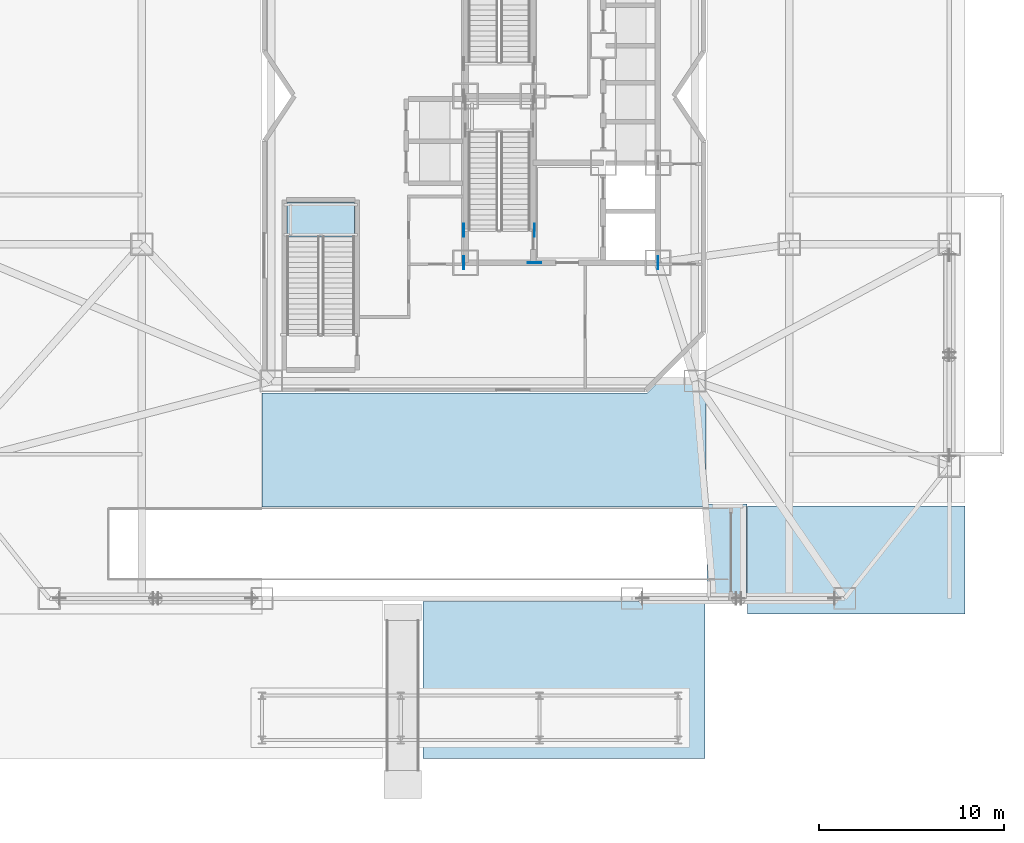
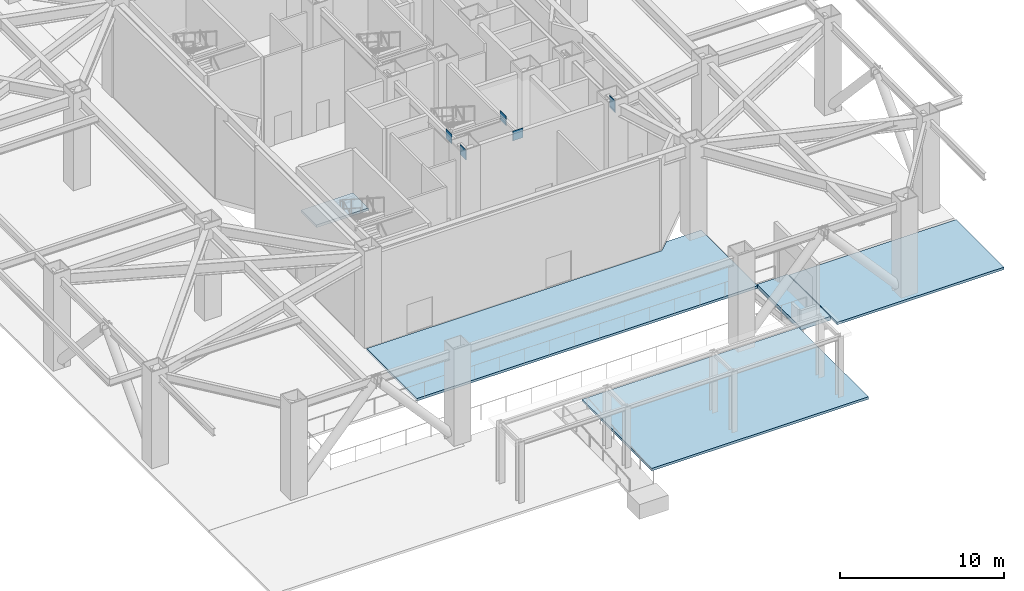
# One storey, part 4 of 14: 6 plates, 5 slabs, 1 element without a shape of its own.
"""IFC4 building model written with IfcOpenShell, lengths in metres."""

from ifc_helpers import new_model, si_unit, direction, frame, origin, origin_2d, place, context, subcontext, project, spatial, polyline, rectangle, outline, extrude, material, layer, layer_set, type_object, element, aggregate, save


model = new_model("IFC4")

# Units and contexts
model_context = context("Model", 3, precision=1e-05, world=origin(), true_north=direction((0.0, 1.0)))
body_context = subcontext(model_context, "Body", "Model", "MODEL_VIEW")
ifc_project = project(units=[si_unit("LENGTHUNIT", "METRE"), si_unit("AREAUNIT", "SQUARE_METRE"), si_unit("VOLUMEUNIT", "CUBIC_METRE"), si_unit("PLANEANGLEUNIT", "RADIAN"), si_unit("MASSUNIT", "GRAM", prefix="KILO")], contexts=[model_context])

# Site, building, storey
site_placement = place(None, origin())
site = spatial("IfcSite", under=ifc_project, at=site_placement, CompositionType="ELEMENT")
building_placement = place(site_placement, origin())
building = spatial("IfcBuilding", under=site, at=building_placement, Name="Khamvora Tower", CompositionType="ELEMENT")
storey_placement = place(building_placement, origin())
storey = spatial("IfcBuildingStorey", under=building, at=storey_placement, Name="L00", CompositionType="ELEMENT", Elevation=0.0)

# Plates
ifc_material_1 = material(Name="Steel S460", Category="steel")
ifc_layer_1 = layer(ifc_material_1, 0.034912109375)
ifc_layer_set_1 = layer_set([ifc_layer_1], Name="Steel S460")
plate_type = type_object("IfcPlateType", Name="PL-EMB-35", PredefinedType="SHEET", material=ifc_layer_set_1)
for number, where, z_axis, x_axis, name in (
    (1, (39.39990234375, 19.0, 5.9931640625), (0.0, 0.0, 1.0), (1.0, 0.0, 0.0), "L00 core shear wall cast-in embed plate 0064"),
    (2, (28.89990234375, 19.0, 6.15380859375), (0.0, 0.0, 1.0), (1.0, 0.0, 0.0), "L00 core shear wall cast-in embed plate 0066"),
):
    element("IfcPlate", number, at=place(storey_placement, frame(where, z_axis=z_axis, x_axis=x_axis)), inside=storey, type_object=plate_type, Name=name, PredefinedType="SHEET", context=body_context, shape_type="SweptSolid", body=[
        extrude(rectangle(XDim=0.034912109375, YDim=0.719970703125, at=origin_2d()), origin(), (0.0, 0.0, 1.0), 0.719970703125),
    ])
plate_placement = place(storey_placement, frame((32.72998046875, 19.0, 6.15380859375), z_axis=(0.0, 0.0, 1.0), x_axis=(1.0, 0.0, 0.0)))
element("IfcPlate", 3, at=plate_placement, inside=storey, type_object=plate_type, Name="L00 core shear wall cast-in embed plate 0069", PredefinedType="SHEET", context=body_context, shape_type="SweptSolid", body=[
    extrude(rectangle(XDim=0.719970703125, YDim=0.034912109375, at=origin_2d()), origin(), (0.0, 0.0, 1.0), 0.719970703125),
])
for number, where, z_axis, x_axis, name in (
    (4, (39.39990234375, 19.0, 6.15380859375), (0.0, 0.0, 1.0), (1.0, 0.0, 0.0), "L00 core shear wall cast-in embed plate 0072"),
    (5, (28.89990234375, 20.75, 6.2939453125), (0.0, 0.0, 1.0), (1.0, 0.0, 0.0), "L00 core shear wall cast-in embed plate 0075"),
    (6, (32.72998046875, 20.75, 6.2939453125), (0.0, 0.0, 1.0), (1.0, 0.0, 0.0), "L00 core shear wall cast-in embed plate 0076"),
):
    element("IfcPlate", number, at=place(storey_placement, frame(where, z_axis=z_axis, x_axis=x_axis)), inside=storey, type_object=plate_type, Name=name, PredefinedType="SHEET", context=body_context, shape_type="SweptSolid", body=[
        extrude(rectangle(XDim=0.034912109375, YDim=0.719970703125, at=origin_2d()), origin(), (0.0, 0.0, 1.0), 0.719970703125),
    ])

# Stair, slab
ifc_material_2 = material(Name="Concrete C40/50", Category="concrete")
stair_type = type_object("IfcStairType", Name="STR-ST-03", PredefinedType="HALF_TURN_STAIR", material=ifc_material_2)
stair_placement = place(storey_placement, origin())
stair = element("IfcStair", 7, at=stair_placement, inside=storey, type_object=stair_type, Name="L00 South School Podium Stair ST-03", PredefinedType="HALF_TURN_STAIR")
ifc_layer_2 = layer(ifc_material_2, 0.199951171875)
ifc_layer_set_2 = layer_set([ifc_layer_2], Name="Concrete C40/50")
slab_type_1 = type_object("IfcSlabType", Name="SLB-LND-200", PredefinedType="LANDING", material=ifc_layer_set_2)
slab_1_placement = place(storey_placement, frame((0.0, 0.0, 3.39990234375)))
slab_1 = element("IfcSlab", 8, at=slab_1_placement, type_object=slab_type_1, Name="ST-03 landing 1", PredefinedType="LANDING", context=body_context, shape_type="SweptSolid", body=[
    extrude(outline(polyline([(23.0, 20.385009765625), (23.0, 22.25), (19.35009765625, 22.25), (19.35009765625, 20.385009765625), (23.0, 20.385009765625)])), origin(), (0.0, 0.0, 1.0), 0.2001953125),
])
aggregate(stair, [slab_1])

# Slabs
ifc_material_3 = material(Name="Concrete C35/45", Category="concrete")
ifc_layer_3 = layer(ifc_material_3, 0.179931640625)
ifc_layer_set_3 = layer_set([ifc_layer_3], Name="Concrete C35/45")
slab_type_2 = type_object("IfcSlabType", Name="SLB-PAV-180", PredefinedType="USERDEFINED", material=ifc_layer_set_3)
slab_2_placement = place(storey_placement, frame((0.0, 0.0, -0.179931640625)))
element("IfcSlab", 9, at=slab_2_placement, inside=storey, type_object=slab_type_2, Name="L00 flood-protected public plaza paving apron SE", ObjectType="PAVING", PredefinedType="USERDEFINED", context=body_context, shape_type="SweptSolid", body=[
    extrude(outline(polyline([(56.0, 5.85009765625), (56.0, 0.0), (44.25, 0.0), (44.25, 0.699951171875), (44.25, 5.85009765625), (56.0, 5.85009765625)])), origin(), (0.0, 0.0, 1.0), 0.179931640625),
])
slab_3_placement = place(storey_placement, frame((0.0, 0.0, -0.179931640625)))
element("IfcSlab", 10, at=slab_3_placement, inside=storey, type_object=slab_type_2, Name="L00 flood-protected public plaza paving apron SW2", ObjectType="PAVING", PredefinedType="USERDEFINED", context=body_context, shape_type="SweptSolid", body=[
    extrude(outline(polyline([(26.699951171875, -7.800048828125), (26.699951171875, 0.699951171875), (41.949951171875, 0.699951171875), (41.949951171875, -7.800048828125), (26.699951171875, -7.800048828125)])), origin(), (0.0, 0.0, 1.0), 0.179931640625),
])
slab_4_placement = place(storey_placement, frame((0.0, 0.0, -0.179931640625)))
element("IfcSlab", 11, at=slab_4_placement, inside=storey, type_object=slab_type_2, Name="L00 flood-protected public plaza paving apron ENTRY", ObjectType="PAVING", PredefinedType="USERDEFINED", context=body_context, shape_type="SweptSolid", body=[
    extrude(outline(polyline([(42.0, 5.800048828125), (18.010009765625, 5.800048828125), (18.010009765625, 11.949951171875), (38.800048828125, 11.949951171875), (38.804931640625, 11.949951171875), (38.81005859375, 11.950927734375), (38.81494140625, 11.951904296875), (38.819091796875, 11.9541015625), (38.823974609375, 11.9560546875), (38.827880859375, 11.9580078125), (38.83203125, 11.9609375), (38.8349609375, 11.965087890625), (39.52099609375, 12.64990234375), (41.989990234375, 12.64990234375), (41.989990234375, 6.050048828125), (41.989990234375, 6.049072265625), (41.989990234375, 6.048095703125), (41.989990234375, 6.047119140625), (41.990966796875, 6.0458984375), (41.990966796875, 6.044921875), (41.991943359375, 6.0439453125), (41.991943359375, 6.0439453125), (41.992919921875, 6.04296875), (41.993896484375, 6.0419921875), (41.993896484375, 6.0419921875), (41.9951171875, 6.041015625), (41.99609375, 6.041015625), (41.9970703125, 6.0400390625), (41.998046875, 6.0400390625), (41.9990234375, 6.0400390625), (42.0, 6.0400390625), (42.0, 6.0), (42.0, 5.800048828125)])), origin(), (0.0, 0.0, 1.0), 0.179931640625),
])
ifc_layer_4 = layer(ifc_material_3, 0.280029296875)
ifc_layer_set_4 = layer_set([ifc_layer_4], Name="Concrete C35/45")
slab_type_3 = type_object("IfcSlabType", Name="SLB-SCH-280", PredefinedType="FLOOR", material=ifc_layer_set_4)
slab_5_placement = place(storey_placement, frame((0.0, 0.0, -0.280029296875)))
element("IfcSlab", 12, at=slab_5_placement, inside=storey, type_object=slab_type_3, Name="L00 vehicle ramp structural arrival apron slab", PredefinedType="FLOOR", context=body_context, shape_type="SweptSolid", body=[
    extrude(outline(polyline([(42.050048828125, 0.75), (44.199951171875, 0.75), (44.199951171875, 5.949951171875), (42.050048828125, 5.949951171875), (42.050048828125, 0.75)])), origin(), (0.0, 0.0, 1.0), 0.280029296875),
])

save(model, "model.ifc")
